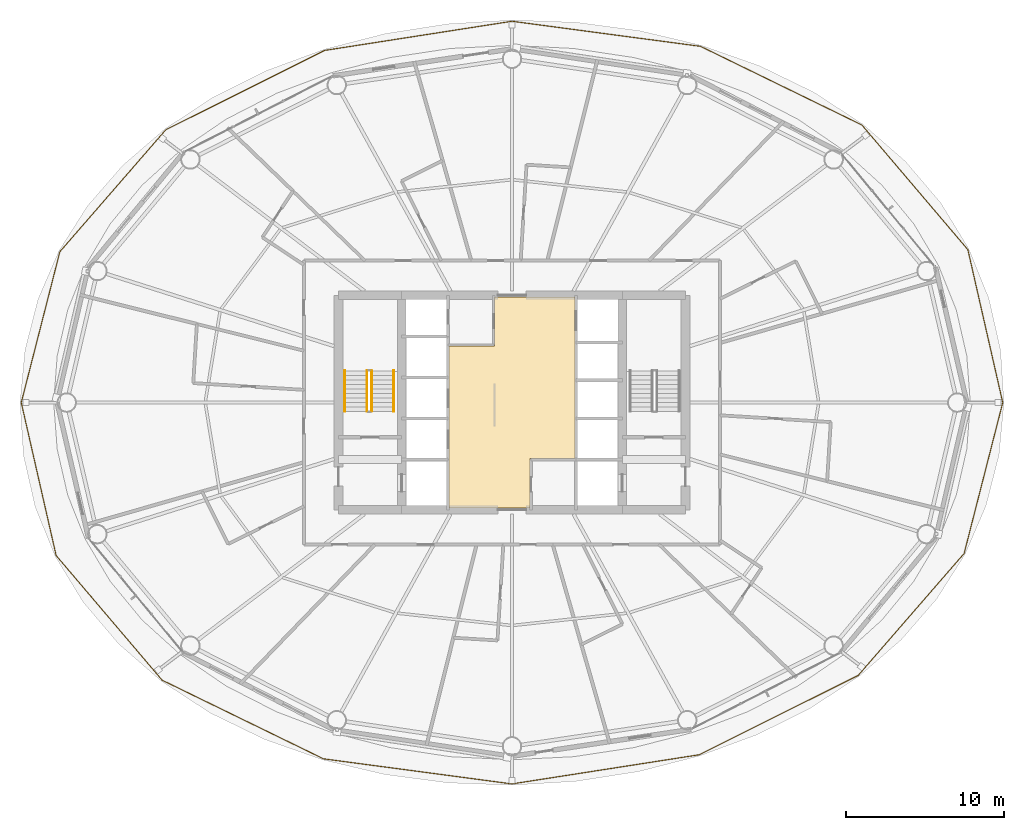
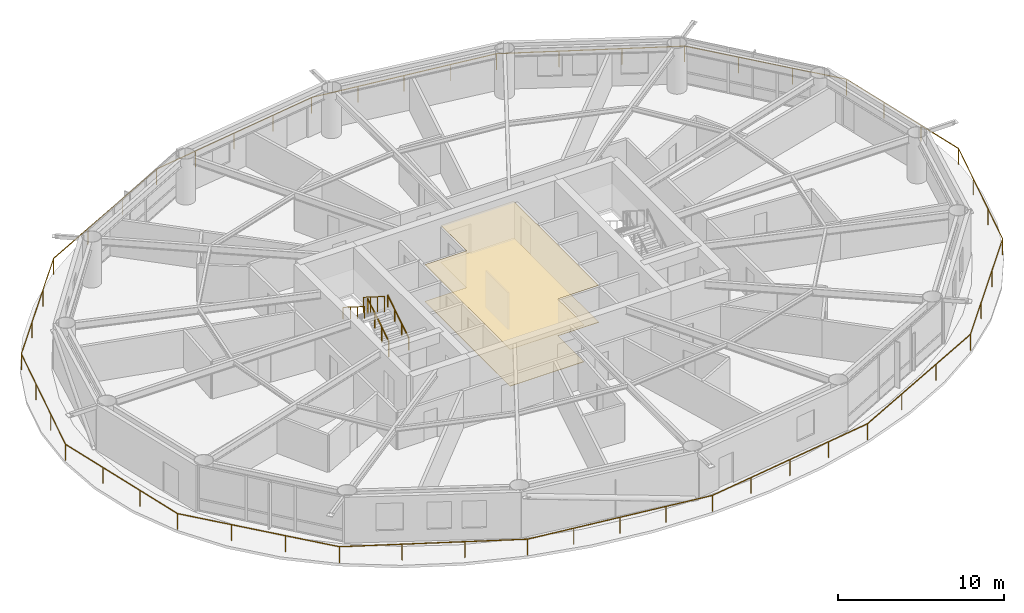
# One storey, part 23 of 24: 5 railings, 2 coverings.
"""IFC4 building model written with IfcOpenShell, lengths in metres."""

from ifc_helpers import new_model, si_unit, direction, frame, origin, origin_2d, place, context, subcontext, project, spatial, polyline, rectangle, outline, extrude, material, layer, layer_set, type_object, element, save


model = new_model("IFC4")

# Units and contexts
model_context = context("Model", 3, precision=1e-05, world=origin(), true_north=direction((0.0, 1.0)))
body_context = subcontext(model_context, "Body", "Model", "MODEL_VIEW")
ifc_project = project(units=[si_unit("LENGTHUNIT", "METRE"), si_unit("AREAUNIT", "SQUARE_METRE"), si_unit("VOLUMEUNIT", "CUBIC_METRE"), si_unit("PLANEANGLEUNIT", "RADIAN"), si_unit("MASSUNIT", "GRAM", prefix="KILO")], contexts=[model_context])

# Site, building, storey
site_placement = place(None, origin())
site = spatial("IfcSite", under=ifc_project, at=site_placement, CompositionType="ELEMENT")
building_placement = place(site_placement, origin())
building = spatial("IfcBuilding", under=site, at=building_placement, Name="Sarneth Arch Tower", CompositionType="ELEMENT")
storey_placement = place(building_placement, frame((0.0, 0.0, 94.800048828125)))
storey = spatial("IfcBuildingStorey", under=building, at=storey_placement, Name="L23", CompositionType="ELEMENT", Elevation=94.800048828125)

# Coverings
ifc_material_1 = material(Name="Perforated acoustic gypsum ceiling board")
ifc_layer_1 = layer(ifc_material_1, 0.02490234375)
ifc_layer_set_1 = layer_set([ifc_layer_1], Name="Perforated acoustic gypsum ceiling board")
covering_type_1 = type_object("IfcCoveringType", Name="COV-CEIL-GYP", PredefinedType="CEILING", material=ifc_layer_set_1)
covering_1_placement = place(storey_placement, frame((0.0, 0.0, 2.7099609375)))
element("IfcCovering", 1, at=covering_1_placement, inside=storey, type_object=covering_type_1, Name="L23 Lift lobby acoustic ceiling", PredefinedType="CEILING", context=body_context, shape_type="SweptSolid", body=[
    extrude(outline(polyline([(49.14990234375, 38.449951171875), (49.14990234375, 35.300048828125), (44.0, 35.300048828125), (44.0, 45.60009765625), (46.89990234375, 45.60009765625), (46.89990234375, 48.699951171875), (52.0, 48.699951171875), (52.0, 38.449951171875), (49.14990234375, 38.449951171875)])), origin(), (0.0, 0.0, 1.0), 0.030029296875),
])
ifc_material_2 = material(Name="Honed granite stone flooring", Category="masonry")
ifc_layer_2 = layer(ifc_material_2, 0.030029296875)
ifc_layer_set_2 = layer_set([ifc_layer_2], Name="Honed granite stone flooring")
covering_type_2 = type_object("IfcCoveringType", Name="COV-FLR-STONE", PredefinedType="FLOORING", material=ifc_layer_set_2)
covering_2_placement = place(storey_placement, origin())
element("IfcCovering", 2, at=covering_2_placement, inside=storey, type_object=covering_type_2, Name="L23 Lift lobby granite flooring", PredefinedType="FLOORING", context=body_context, shape_type="SweptSolid", body=[
    extrude(outline(polyline([(49.14990234375, 38.449951171875), (49.14990234375, 35.300048828125), (44.0, 35.300048828125), (44.0, 45.60009765625), (46.89990234375, 45.60009765625), (46.89990234375, 48.699951171875), (52.0, 48.699951171875), (52.0, 38.449951171875), (49.14990234375, 38.449951171875)])), origin(), (0.0, 0.0, 1.0), 0.030029296875),
])

# Railings
ifc_material_3 = material(Name="Laminated structural glass infill with Stainless Steel 316 top rail and posts", Category="steel")
railing_type_1 = type_object("IfcRailingType", Name="RAIL-BALC-1200", PredefinedType="BALUSTRADE", material=ifc_material_3)
railing_1_placement = place(storey_placement, frame((79.120849609375, 42.0, 0.0)))
element("IfcRailing", 3, at=railing_1_placement, inside=storey, type_object=railing_type_1, Name="L23 Helical balcony glass balustrade", PredefinedType="BALUSTRADE", context=body_context, shape_type="SweptSolid", body=[
    extrude(rectangle(XDim=0.048095703125, YDim=0.048095703125, at=origin_2d()), frame((0.0, 0.0, 1.17578125), z_axis=(-0.222412311317, 0.974952698224, 0.0), x_axis=(-0.974952698224, -0.222412311317, 0.0)), (0.0, 0.0, 1.0), 9.948486328125),
    extrude(rectangle(XDim=0.048095703125, YDim=0.048095703125, at=origin_2d()), frame((-2.212646484375, 9.69921875, 1.17578125), z_axis=(-0.647731756365, 0.761868474079, 0.0), x_axis=(-0.761868474079, -0.647731756365, 0.0)), (0.0, 0.0, 1.0), 10.374267578125),
    extrude(rectangle(XDim=0.048095703125, YDim=0.048095703125, at=origin_2d()), frame((-8.932373046875, 17.60302734375, 1.17578125), z_axis=(-0.898898898438, 0.438156102761, 0.0), x_axis=(-0.438156102761, -0.898898898438, 0.0)), (0.0, 0.0, 1.0), 11.3818359375),
    extrude(rectangle(XDim=0.048095703125, YDim=0.048095703125, at=origin_2d()), frame((-19.16357421875, 22.590087890625, 1.17578125), z_axis=(-0.991252453342, 0.131979444397, 0.0), x_axis=(-0.131979444397, -0.991252453342, 0.0)), (0.0, 0.0, 1.0), 12.062744140625),
    extrude(rectangle(XDim=0.048095703125, YDim=0.048095703125, at=origin_2d()), frame((-31.120849609375, 24.18212890625, 1.17578125), z_axis=(-0.988086079957, -0.153902237138, 0.0), x_axis=(0.153902237138, -0.988086079957, 0.0)), (0.0, 0.0, 1.0), 12.019775390625),
    extrude(rectangle(XDim=0.048095703125, YDim=0.048095703125, at=origin_2d()), frame((-42.997314453125, 22.332275390625, 1.17578125), z_axis=(-0.894665369922, -0.446736920192, 0.0), x_axis=(0.446736920192, -0.894665369922, 0.0)), (0.0, 0.0, 1.0), 11.269287109375),
    extrude(rectangle(XDim=0.048095703125, YDim=0.048095703125, at=origin_2d()), frame((-53.07958984375, 17.2978515625, 1.17578125), z_axis=(-0.655690948108, -0.755029390533, 0.0), x_axis=(0.755029390533, -0.655690948108, 0.0)), (0.0, 0.0, 1.0), 10.238525390625),
    extrude(rectangle(XDim=0.048095703125, YDim=0.048095703125, at=origin_2d()), frame((-59.79296875, 9.5673828125, 1.17578125), z_axis=(-0.247953038955, -0.968772052896, 0.0), x_axis=(0.968772052896, -0.247953038955, 0.0)), (0.0, 0.0, 1.0), 9.875732421875),
    extrude(rectangle(XDim=0.048095703125, YDim=0.048095703125, at=origin_2d()), frame((-62.24169921875, 0.0, 1.17578125), z_axis=(0.222412311317, -0.974952698224, 0.0), x_axis=(0.974952698224, 0.222412311317, 0.0)), (0.0, 0.0, 1.0), 9.948486328125),
    extrude(rectangle(XDim=0.048095703125, YDim=0.048095703125, at=origin_2d()), frame((-60.029052734375, -9.69921875, 1.17578125), z_axis=(0.647731756365, -0.761868474079, 0.0), x_axis=(0.761868474079, 0.647731756365, 0.0)), (0.0, 0.0, 1.0), 10.374267578125),
    extrude(rectangle(XDim=0.048095703125, YDim=0.048095703125, at=origin_2d()), frame((-53.309326171875, -17.60302734375, 1.17578125), z_axis=(0.898898898438, -0.438156102761, 0.0), x_axis=(0.438156102761, 0.898898898438, 0.0)), (0.0, 0.0, 1.0), 11.3818359375),
    extrude(rectangle(XDim=0.048095703125, YDim=0.048095703125, at=origin_2d()), frame((-43.078125, -22.590087890625, 1.17578125), z_axis=(0.991252453342, -0.131979444397, 0.0), x_axis=(0.131979444397, 0.991252453342, 0.0)), (0.0, 0.0, 1.0), 12.062744140625),
    extrude(rectangle(XDim=0.048095703125, YDim=0.048095703125, at=origin_2d()), frame((-31.120849609375, -24.18212890625, 1.17578125), z_axis=(0.988086079957, 0.153902237138, 0.0), x_axis=(-0.153902237138, 0.988086079957, 0.0)), (0.0, 0.0, 1.0), 12.019775390625),
    extrude(rectangle(XDim=0.048095703125, YDim=0.048095703125, at=origin_2d()), frame((-19.244384765625, -22.332275390625, 1.17578125), z_axis=(0.894665369922, 0.446736920192, 0.0), x_axis=(-0.446736920192, 0.894665369922, 0.0)), (0.0, 0.0, 1.0), 11.269287109375),
    extrude(rectangle(XDim=0.048095703125, YDim=0.048095703125, at=origin_2d()), frame((-9.162109375, -17.2978515625, 1.17578125), z_axis=(0.655690948108, 0.755029390533, 0.0), x_axis=(-0.755029390533, 0.655690948108, 0.0)), (0.0, 0.0, 1.0), 10.238525390625),
    extrude(rectangle(XDim=0.048095703125, YDim=0.048095703125, at=origin_2d()), frame((-2.44873046875, -9.5673828125, 1.17578125), z_axis=(0.247953038955, 0.968772052896, 0.0), x_axis=(-0.968772052896, 0.247953038955, 0.0)), (0.0, 0.0, 1.0), 9.875732421875),
    extrude(rectangle(XDim=0.0419921875, YDim=0.0419921875, at=origin_2d()), origin(), (0.0, 0.0, 1.0), 1.15185546875),
    extrude(rectangle(XDim=0.0419921875, YDim=0.0419921875, at=origin_2d()), frame((-0.737548828125, 3.233154296875, 0.0)), (0.0, 0.0, 1.0), 1.15185546875),
    extrude(rectangle(XDim=0.0419921875, YDim=0.0419921875, at=origin_2d()), frame((-1.47509765625, 6.466064453125, 0.0)), (0.0, 0.0, 1.0), 1.15185546875),
    extrude(rectangle(XDim=0.0419921875, YDim=0.0419921875, at=origin_2d()), frame((-2.212646484375, 9.69921875, 0.0)), (0.0, 0.0, 1.0), 1.15185546875),
    extrude(rectangle(XDim=0.0419921875, YDim=0.0419921875, at=origin_2d()), frame((-4.45263671875, 12.333740234375, 0.0)), (0.0, 0.0, 1.0), 1.15185546875),
    extrude(rectangle(XDim=0.0419921875, YDim=0.0419921875, at=origin_2d()), frame((-6.6923828125, 14.968505859375, 0.0)), (0.0, 0.0, 1.0), 1.15185546875),
    extrude(rectangle(XDim=0.0419921875, YDim=0.0419921875, at=origin_2d()), frame((-8.932373046875, 17.60302734375, 0.0)), (0.0, 0.0, 1.0), 1.15185546875),
    extrude(rectangle(XDim=0.0419921875, YDim=0.0419921875, at=origin_2d()), frame((-12.3427734375, 19.265380859375, 0.0)), (0.0, 0.0, 1.0), 1.15185546875),
    extrude(rectangle(XDim=0.0419921875, YDim=0.0419921875, at=origin_2d()), frame((-15.753173828125, 20.927734375, 0.0)), (0.0, 0.0, 1.0), 1.15185546875),
    extrude(rectangle(XDim=0.0419921875, YDim=0.0419921875, at=origin_2d()), frame((-19.16357421875, 22.590087890625, 0.0)), (0.0, 0.0, 1.0), 1.15185546875),
    extrude(rectangle(XDim=0.0419921875, YDim=0.0419921875, at=origin_2d()), frame((-22.15283203125, 22.988037109375, 0.0)), (0.0, 0.0, 1.0), 1.15185546875),
    extrude(rectangle(XDim=0.0419921875, YDim=0.0419921875, at=origin_2d()), frame((-25.14208984375, 23.38623046875, 0.0)), (0.0, 0.0, 1.0), 1.15185546875),
    extrude(rectangle(XDim=0.0419921875, YDim=0.0419921875, at=origin_2d()), frame((-28.131591796875, 23.7841796875, 0.0)), (0.0, 0.0, 1.0), 1.15185546875),
    extrude(rectangle(XDim=0.0419921875, YDim=0.0419921875, at=origin_2d()), frame((-31.120849609375, 24.18212890625, 0.0)), (0.0, 0.0, 1.0), 1.15185546875),
    extrude(rectangle(XDim=0.0419921875, YDim=0.0419921875, at=origin_2d()), frame((-34.08984375, 23.7197265625, 0.0)), (0.0, 0.0, 1.0), 1.15185546875),
    extrude(rectangle(XDim=0.0419921875, YDim=0.0419921875, at=origin_2d()), frame((-37.05908203125, 23.25732421875, 0.0)), (0.0, 0.0, 1.0), 1.15185546875),
    extrude(rectangle(XDim=0.0419921875, YDim=0.0419921875, at=origin_2d()), frame((-40.0283203125, 22.794677734375, 0.0)), (0.0, 0.0, 1.0), 1.15185546875),
    extrude(rectangle(XDim=0.0419921875, YDim=0.0419921875, at=origin_2d()), frame((-42.997314453125, 22.332275390625, 0.0)), (0.0, 0.0, 1.0), 1.15185546875),
    extrude(rectangle(XDim=0.0419921875, YDim=0.0419921875, at=origin_2d()), frame((-46.358154296875, 20.654052734375, 0.0)), (0.0, 0.0, 1.0), 1.15185546875),
    extrude(rectangle(XDim=0.0419921875, YDim=0.0419921875, at=origin_2d()), frame((-49.71875, 18.97607421875, 0.0)), (0.0, 0.0, 1.0), 1.15185546875),
    extrude(rectangle(XDim=0.0419921875, YDim=0.0419921875, at=origin_2d()), frame((-53.07958984375, 17.2978515625, 0.0)), (0.0, 0.0, 1.0), 1.15185546875),
    extrude(rectangle(XDim=0.0419921875, YDim=0.0419921875, at=origin_2d()), frame((-55.3173828125, 14.720947265625, 0.0)), (0.0, 0.0, 1.0), 1.15185546875),
    extrude(rectangle(XDim=0.0419921875, YDim=0.0419921875, at=origin_2d()), frame((-57.55517578125, 12.144287109375, 0.0)), (0.0, 0.0, 1.0), 1.15185546875),
    extrude(rectangle(XDim=0.0419921875, YDim=0.0419921875, at=origin_2d()), frame((-59.79296875, 9.5673828125, 0.0)), (0.0, 0.0, 1.0), 1.15185546875),
    extrude(rectangle(XDim=0.0419921875, YDim=0.0419921875, at=origin_2d()), frame((-60.609130859375, 6.378173828125, 0.0)), (0.0, 0.0, 1.0), 1.15185546875),
    extrude(rectangle(XDim=0.0419921875, YDim=0.0419921875, at=origin_2d()), frame((-61.425537109375, 3.189208984375, 0.0)), (0.0, 0.0, 1.0), 1.15185546875),
    extrude(rectangle(XDim=0.0419921875, YDim=0.0419921875, at=origin_2d()), frame((-62.24169921875, 0.0, 0.0)), (0.0, 0.0, 1.0), 1.15185546875),
    extrude(rectangle(XDim=0.0419921875, YDim=0.0419921875, at=origin_2d()), frame((-61.504150390625, -3.233154296875, 0.0)), (0.0, 0.0, 1.0), 1.15185546875),
    extrude(rectangle(XDim=0.0419921875, YDim=0.0419921875, at=origin_2d()), frame((-60.7666015625, -6.466064453125, 0.0)), (0.0, 0.0, 1.0), 1.15185546875),
    extrude(rectangle(XDim=0.0419921875, YDim=0.0419921875, at=origin_2d()), frame((-60.029052734375, -9.69921875, 0.0)), (0.0, 0.0, 1.0), 1.15185546875),
    extrude(rectangle(XDim=0.0419921875, YDim=0.0419921875, at=origin_2d()), frame((-57.7890625, -12.333740234375, 0.0)), (0.0, 0.0, 1.0), 1.15185546875),
    extrude(rectangle(XDim=0.0419921875, YDim=0.0419921875, at=origin_2d()), frame((-55.54931640625, -14.968505859375, 0.0)), (0.0, 0.0, 1.0), 1.15185546875),
    extrude(rectangle(XDim=0.0419921875, YDim=0.0419921875, at=origin_2d()), frame((-53.309326171875, -17.60302734375, 0.0)), (0.0, 0.0, 1.0), 1.15185546875),
    extrude(rectangle(XDim=0.0419921875, YDim=0.0419921875, at=origin_2d()), frame((-49.89892578125, -19.265380859375, 0.0)), (0.0, 0.0, 1.0), 1.15185546875),
    extrude(rectangle(XDim=0.0419921875, YDim=0.0419921875, at=origin_2d()), frame((-46.488525390625, -20.927734375, 0.0)), (0.0, 0.0, 1.0), 1.15185546875),
    extrude(rectangle(XDim=0.0419921875, YDim=0.0419921875, at=origin_2d()), frame((-43.078125, -22.590087890625, 0.0)), (0.0, 0.0, 1.0), 1.15185546875),
    extrude(rectangle(XDim=0.0419921875, YDim=0.0419921875, at=origin_2d()), frame((-40.0888671875, -22.988037109375, 0.0)), (0.0, 0.0, 1.0), 1.15185546875),
    extrude(rectangle(XDim=0.0419921875, YDim=0.0419921875, at=origin_2d()), frame((-37.099609375, -23.38623046875, 0.0)), (0.0, 0.0, 1.0), 1.15185546875),
    extrude(rectangle(XDim=0.0419921875, YDim=0.0419921875, at=origin_2d()), frame((-34.110107421875, -23.7841796875, 0.0)), (0.0, 0.0, 1.0), 1.15185546875),
    extrude(rectangle(XDim=0.0419921875, YDim=0.0419921875, at=origin_2d()), frame((-31.120849609375, -24.18212890625, 0.0)), (0.0, 0.0, 1.0), 1.15185546875),
    extrude(rectangle(XDim=0.0419921875, YDim=0.0419921875, at=origin_2d()), frame((-28.15185546875, -23.7197265625, 0.0)), (0.0, 0.0, 1.0), 1.15185546875),
    extrude(rectangle(XDim=0.0419921875, YDim=0.0419921875, at=origin_2d()), frame((-25.1826171875, -23.25732421875, 0.0)), (0.0, 0.0, 1.0), 1.15185546875),
    extrude(rectangle(XDim=0.0419921875, YDim=0.0419921875, at=origin_2d()), frame((-22.21337890625, -22.794677734375, 0.0)), (0.0, 0.0, 1.0), 1.15185546875),
    extrude(rectangle(XDim=0.0419921875, YDim=0.0419921875, at=origin_2d()), frame((-19.244384765625, -22.332275390625, 0.0)), (0.0, 0.0, 1.0), 1.15185546875),
    extrude(rectangle(XDim=0.0419921875, YDim=0.0419921875, at=origin_2d()), frame((-15.883544921875, -20.654052734375, 0.0)), (0.0, 0.0, 1.0), 1.15185546875),
    extrude(rectangle(XDim=0.0419921875, YDim=0.0419921875, at=origin_2d()), frame((-12.52294921875, -18.97607421875, 0.0)), (0.0, 0.0, 1.0), 1.15185546875),
    extrude(rectangle(XDim=0.0419921875, YDim=0.0419921875, at=origin_2d()), frame((-9.162109375, -17.2978515625, 0.0)), (0.0, 0.0, 1.0), 1.15185546875),
    extrude(rectangle(XDim=0.0419921875, YDim=0.0419921875, at=origin_2d()), frame((-6.92431640625, -14.720947265625, 0.0)), (0.0, 0.0, 1.0), 1.15185546875),
    extrude(rectangle(XDim=0.0419921875, YDim=0.0419921875, at=origin_2d()), frame((-4.6865234375, -12.144287109375, 0.0)), (0.0, 0.0, 1.0), 1.15185546875),
    extrude(rectangle(XDim=0.0419921875, YDim=0.0419921875, at=origin_2d()), frame((-2.44873046875, -9.5673828125, 0.0)), (0.0, 0.0, 1.0), 1.15185546875),
    extrude(rectangle(XDim=0.0419921875, YDim=0.0419921875, at=origin_2d()), frame((-1.632568359375, -6.378173828125, 0.0)), (0.0, 0.0, 1.0), 1.15185546875),
    extrude(rectangle(XDim=0.0419921875, YDim=0.0419921875, at=origin_2d()), frame((-0.816162109375, -3.189208984375, 0.0)), (0.0, 0.0, 1.0), 1.15185546875),
])
ifc_material_4 = material(Name="Brushed Stainless Steel 304 tubular handrail", Category="steel")
railing_type_2 = type_object("IfcRailingType", Name="RAIL-HANDRAIL-900", PredefinedType="HANDRAIL", material=ifc_material_4)
railing_2_placement = place(storey_placement, frame((40.5, 41.449951171875, 0.179931640625)))
element("IfcRailing", 4, at=railing_2_placement, inside=storey, type_object=railing_type_2, Name="L23 ST-1 stair handrail 1", PredefinedType="HANDRAIL", context=body_context, shape_type="SweptSolid", body=[
    extrude(rectangle(XDim=0.048095703125, YDim=0.048095703125, at=origin_2d()), frame((0.0, 0.0, 0.8759765625), z_axis=(0.0, 0.845465955043, 0.534029323973), x_axis=(-1.0, 0.0, 0.0)), (0.0, 0.0, 1.0), 3.03369140625),
    extrude(rectangle(XDim=0.0419921875, YDim=0.0419921875, at=origin_2d()), origin(), (0.0, 0.0, 1.0), 0.851806640625),
    extrude(rectangle(XDim=0.0419921875, YDim=0.0419921875, at=origin_2d()), frame((0.0, 0.85498046875, 0.5400390625)), (0.0, 0.0, 1.0), 0.851806640625),
    extrude(rectangle(XDim=0.0419921875, YDim=0.0419921875, at=origin_2d()), frame((0.0, 1.7099609375, 1.080078125)), (0.0, 0.0, 1.0), 0.851806640625),
    extrude(rectangle(XDim=0.0419921875, YDim=0.0419921875, at=origin_2d()), frame((0.0, 2.56494140625, 1.6201171875)), (0.0, 0.0, 1.0), 0.851806640625),
])
railing_3_placement = place(storey_placement, frame((37.39990234375, 44.014892578125, 1.97998046875)))
element("IfcRailing", 5, at=railing_3_placement, inside=storey, type_object=railing_type_2, Name="L23 ST-1 stair handrail 2", PredefinedType="HANDRAIL", context=body_context, shape_type="SweptSolid", body=[
    extrude(rectangle(XDim=0.048095703125, YDim=0.048095703125, at=origin_2d()), frame((0.0, 0.0, 0.8759765625), z_axis=(0.0, -0.845502289212, 0.533971796014), x_axis=(1.0, 0.0, 0.0)), (0.0, 0.0, 1.0), 3.03369140625),
    extrude(rectangle(XDim=0.0419921875, YDim=0.0419921875, at=origin_2d()), origin(), (0.0, 0.0, 1.0), 0.851806640625),
    extrude(rectangle(XDim=0.0419921875, YDim=0.0419921875, at=origin_2d()), frame((0.0, -0.85498046875, 0.5400390625)), (0.0, 0.0, 1.0), 0.851806640625),
    extrude(rectangle(XDim=0.0419921875, YDim=0.0419921875, at=origin_2d()), frame((0.0, -1.7099609375, 1.079833984375)), (0.0, 0.0, 1.0), 0.851806640625),
    extrude(rectangle(XDim=0.0419921875, YDim=0.0419921875, at=origin_2d()), frame((0.0, -2.56494140625, 1.619873046875)), (0.0, 0.0, 1.0), 0.851806640625),
])
ifc_material_5 = material(Name="Painted Steel S275 stair well guard", Category="steel")
railing_type_3 = type_object("IfcRailingType", Name="RAIL-STAIR-GUARD", PredefinedType="GUARDRAIL", material=ifc_material_5)
railing_4_placement = place(storey_placement, frame((39.10009765625, 41.449951171875, 0.179931640625)))
element("IfcRailing", 6, at=railing_4_placement, inside=storey, type_object=railing_type_3, Name="L23 ST-1 stair guard 1", PredefinedType="GUARDRAIL", context=body_context, shape_type="SweptSolid", body=[
    extrude(rectangle(XDim=0.048095703125, YDim=0.048095703125, at=origin_2d()), frame((0.0, 0.0, 1.1259765625), z_axis=(0.0, 0.845465955043, 0.534029323973), x_axis=(-1.0, 0.0, 0.0)), (0.0, 0.0, 1.0), 3.03369140625),
    extrude(rectangle(XDim=0.0419921875, YDim=0.0419921875, at=origin_2d()), origin(), (0.0, 0.0, 1.0), 1.101806640625),
    extrude(rectangle(XDim=0.0419921875, YDim=0.0419921875, at=origin_2d()), frame((0.0, 0.85498046875, 0.5400390625)), (0.0, 0.0, 1.0), 1.101806640625),
    extrude(rectangle(XDim=0.0419921875, YDim=0.0419921875, at=origin_2d()), frame((0.0, 1.7099609375, 1.080078125)), (0.0, 0.0, 1.0), 1.101806640625),
    extrude(rectangle(XDim=0.0419921875, YDim=0.0419921875, at=origin_2d()), frame((0.0, 2.56494140625, 1.6201171875)), (0.0, 0.0, 1.0), 1.101806640625),
])
railing_5_placement = place(storey_placement, frame((38.800048828125, 44.014892578125, 1.97998046875)))
element("IfcRailing", 7, at=railing_5_placement, inside=storey, type_object=railing_type_3, Name="L23 ST-1 stair guard 3", PredefinedType="GUARDRAIL", context=body_context, shape_type="SweptSolid", body=[
    extrude(rectangle(XDim=0.048095703125, YDim=0.048095703125, at=origin_2d()), frame((0.0, 0.0, 1.1259765625), z_axis=(0.0, -0.845502289212, 0.533971796014), x_axis=(1.0, 0.0, 0.0)), (0.0, 0.0, 1.0), 3.03369140625),
    extrude(rectangle(XDim=0.0419921875, YDim=0.0419921875, at=origin_2d()), origin(), (0.0, 0.0, 1.0), 1.101806640625),
    extrude(rectangle(XDim=0.0419921875, YDim=0.0419921875, at=origin_2d()), frame((0.0, -0.85498046875, 0.5400390625)), (0.0, 0.0, 1.0), 1.101806640625),
    extrude(rectangle(XDim=0.0419921875, YDim=0.0419921875, at=origin_2d()), frame((0.0, -1.7099609375, 1.079833984375)), (0.0, 0.0, 1.0), 1.101806640625),
    extrude(rectangle(XDim=0.0419921875, YDim=0.0419921875, at=origin_2d()), frame((0.0, -2.56494140625, 1.619873046875)), (0.0, 0.0, 1.0), 1.101806640625),
])

save(model, "model.ifc")
